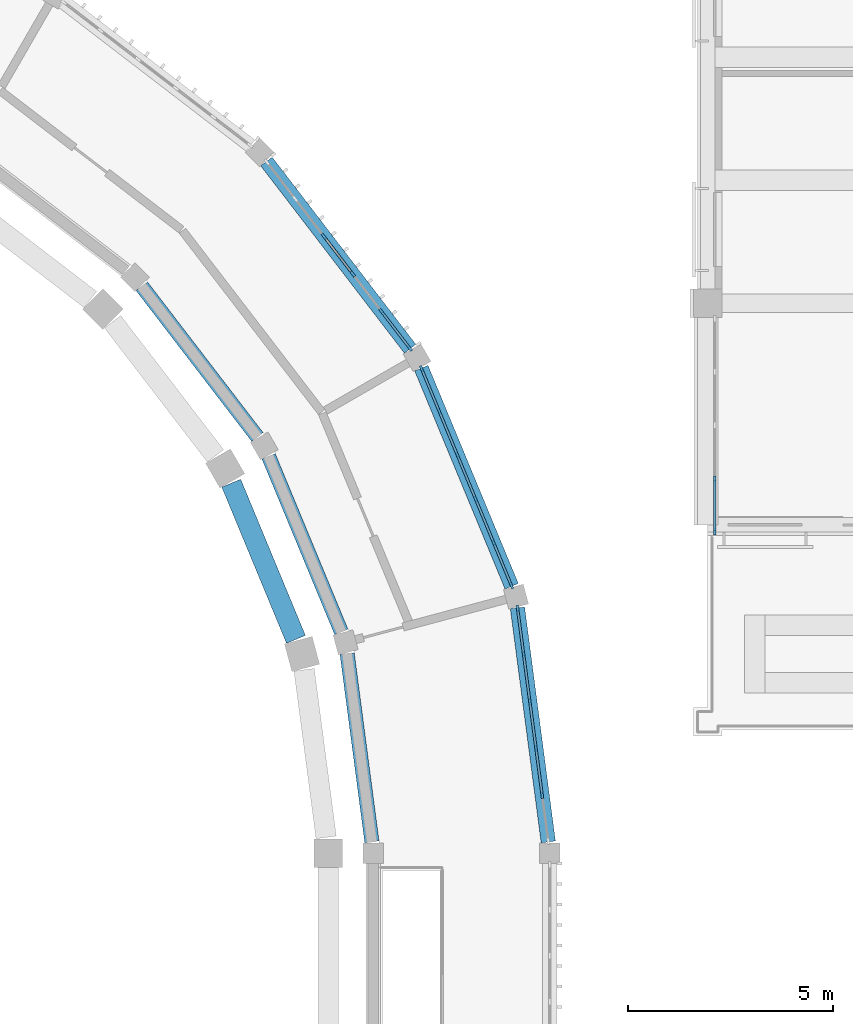
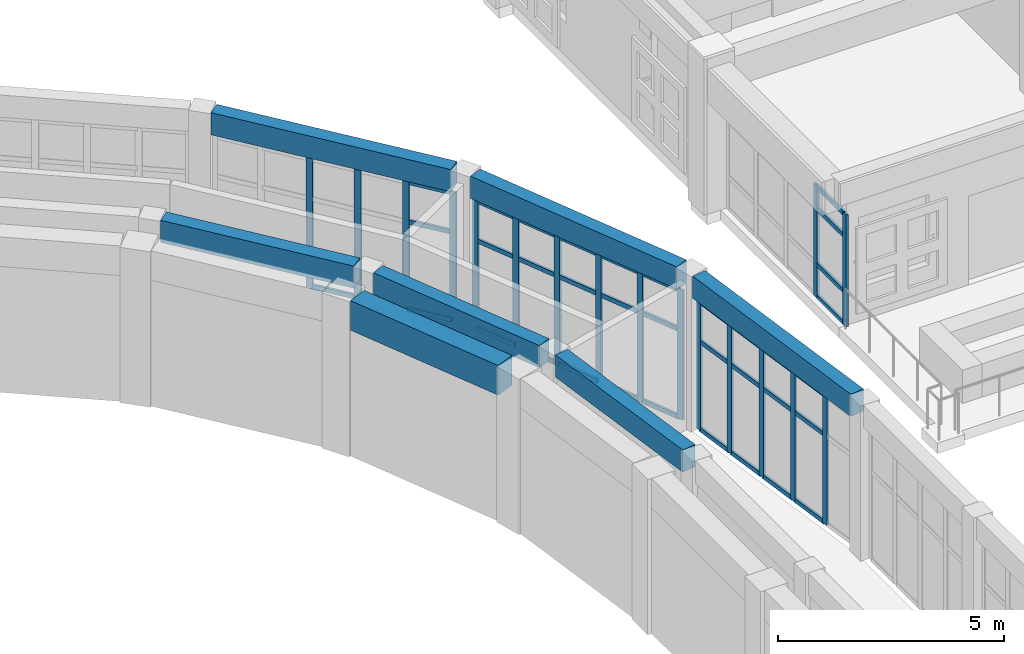
# One storey, part 21 of 99: 52 members, 7 beams, 4 elements without a shape of their own.
"""IFC4 building model written with IfcOpenShell, lengths in metres."""

from ifc_helpers import new_model, si_unit, direction, frame, origin, origin_2d, place, context, subcontext, project, spatial, rectangle, extrude, material, layer, layer_set, material_profile, profile_set, type_object, element, aggregate, save


model = new_model("IFC4")

# Units and contexts
model_context = context("Model", 3, precision=1e-05, world=origin(), true_north=direction((0.0, 1.0)))
body_context = subcontext(model_context, "Body", "Model", "MODEL_VIEW")
ifc_project = project(units=[si_unit("LENGTHUNIT", "METRE"), si_unit("AREAUNIT", "SQUARE_METRE"), si_unit("VOLUMEUNIT", "CUBIC_METRE"), si_unit("PLANEANGLEUNIT", "RADIAN"), si_unit("MASSUNIT", "GRAM", prefix="KILO")], contexts=[model_context])

# Site, building, storey
site_placement = place(None, origin())
site = spatial("IfcSite", under=ifc_project, at=site_placement, CompositionType="ELEMENT")
building_placement = place(site_placement, origin())
building = spatial("IfcBuilding", under=site, at=building_placement, Name="Wasatch Bagh Community Centre", CompositionType="ELEMENT")
storey_placement = place(building_placement, frame((0.0, 0.0, 4.199951171875)))
storey = spatial("IfcBuildingStorey", under=building, at=storey_placement, Name="L01", CompositionType="ELEMENT", Elevation=4.199951171875)

# Curtain wall, members
ifc_material_1 = material(Name="Aluminium curtain wall frame with low-iron insulated glass", Category="aluminium")
ifc_layer_1 = layer(ifc_material_1, 0.14990234375)
ifc_layer_set_1 = layer_set([ifc_layer_1], Name="Aluminium curtain wall frame with low-iron insulated glass")
curtain_wall_type_1 = type_object("IfcCurtainWallType", Name="Drum curtain wall DR-CW2", PredefinedType="NOTDEFINED", material=ifc_layer_set_1)
curtain_wall_1_placement = place(storey_placement, origin())
curtain_wall_1 = element("IfcCurtainWall", 1, at=curtain_wall_1_placement, inside=storey, type_object=curtain_wall_type_1, Name="Curtain wall DR-CW2 19", PredefinedType="NOTDEFINED")
ifc_material_2 = material(Name="Aluminium curtain wall frame", Category="aluminium")
ifc_material_profile_1 = material_profile(ifc_material_2, rectangle(XDim=0.06005859375, YDim=0.159912109375, at=origin_2d()), Name="Drum mullion DR-CW2")
ifc_profile_set_1 = profile_set([ifc_material_profile_1], Name="Aluminium curtain wall frame")
member_type_1 = type_object("IfcMemberType", Name="Drum mullion DR-CW2", PredefinedType="MULLION", material=ifc_profile_set_1)
member_1_placement = place(storey_placement, frame((59.96484375, 66.40625, 0.0), z_axis=(0.0, 0.0, 1.0), x_axis=(-0.991444861378, -0.130526192185, 0.0)))
member_1 = element("IfcMember", 2, at=member_1_placement, type_object=member_type_1, Name="DR-CW2 mullion 2", PredefinedType="MULLION", context=body_context, shape_type="SweptSolid", body=[
    extrude(rectangle(XDim=0.06005859375, YDim=0.159912109375, at=origin_2d()), origin(), (0.0, 0.0, 1.0), 3.5),
])
member_2_placement = place(storey_placement, frame((59.81396484375, 67.55224609375, 0.0), z_axis=(0.0, 0.0, 1.0), x_axis=(-0.991444861378, -0.130526192185, 0.0)))
member_2 = element("IfcMember", 3, at=member_2_placement, type_object=member_type_1, Name="DR-CW2 mullion 3", PredefinedType="MULLION", context=body_context, shape_type="SweptSolid", body=[
    extrude(rectangle(XDim=0.06005859375, YDim=0.159912109375, at=origin_2d()), origin(), (0.0, 0.0, 1.0), 3.5),
])
member_3_placement = place(storey_placement, frame((59.6630859375, 68.6982421875, 0.0), z_axis=(0.0, 0.0, 1.0), x_axis=(-0.991444861378, -0.130526192185, 0.0)))
member_3 = element("IfcMember", 4, at=member_3_placement, type_object=member_type_1, Name="DR-CW2 mullion 4", PredefinedType="MULLION", context=body_context, shape_type="SweptSolid", body=[
    extrude(rectangle(XDim=0.06005859375, YDim=0.159912109375, at=origin_2d()), origin(), (0.0, 0.0, 1.0), 3.5),
])
member_4_placement = place(storey_placement, frame((59.51220703125, 69.84423828125, 0.0), z_axis=(0.0, 0.0, 1.0), x_axis=(-0.991444861378, -0.130526192185, 0.0)))
member_4 = element("IfcMember", 5, at=member_4_placement, type_object=member_type_1, Name="DR-CW2 mullion 5", PredefinedType="MULLION", context=body_context, shape_type="SweptSolid", body=[
    extrude(rectangle(XDim=0.06005859375, YDim=0.159912109375, at=origin_2d()), origin(), (0.0, 0.0, 1.0), 3.5),
])
member_5_placement = place(storey_placement, frame((59.365234375, 70.96044921875, 0.0), z_axis=(0.0, 0.0, 1.0), x_axis=(-0.991444861378, -0.130526192185, 0.0)))
member_5 = element("IfcMember", 6, at=member_5_placement, type_object=member_type_1, Name="DR-CW2 mullion 6", PredefinedType="MULLION", context=body_context, shape_type="SweptSolid", body=[
    extrude(rectangle(XDim=0.06005859375, YDim=0.159912109375, at=origin_2d()), origin(), (0.0, 0.0, 1.0), 3.5),
])

curtain_wall_2_placement = place(storey_placement, origin())
curtain_wall_2 = element("IfcCurtainWall", 7, at=curtain_wall_2_placement, inside=storey, type_object=curtain_wall_type_1, Name="Curtain wall DR-CW2 20", PredefinedType="NOTDEFINED")
member_6_placement = place(storey_placement, frame((59.215087890625, 71.520751953125, 0.0), z_axis=(0.0, 0.0, 1.0), x_axis=(-0.923879532451, -0.38268343251, 0.0)))
member_6 = element("IfcMember", 8, at=member_6_placement, type_object=member_type_1, Name="DR-CW2 mullion 1", PredefinedType="MULLION", context=body_context, shape_type="SweptSolid", body=[
    extrude(rectangle(XDim=0.06005859375, YDim=0.159912109375, at=origin_2d()), origin(), (0.0, 0.0, 1.0), 3.5),
])
member_7_placement = place(storey_placement, frame((58.784423828125, 72.560791015625, 0.0), z_axis=(0.0, 0.0, 1.0), x_axis=(-0.923879532451, -0.38268343251, 0.0)))
member_7 = element("IfcMember", 9, at=member_7_placement, type_object=member_type_1, Name="DR-CW2 mullion 2", PredefinedType="MULLION", context=body_context, shape_type="SweptSolid", body=[
    extrude(rectangle(XDim=0.06005859375, YDim=0.159912109375, at=origin_2d()), origin(), (0.0, 0.0, 1.0), 3.5),
])
member_8_placement = place(storey_placement, frame((58.342041015625, 73.62890625, 0.0), z_axis=(0.0, 0.0, 1.0), x_axis=(-0.923879532451, -0.38268343251, 0.0)))
member_8 = element("IfcMember", 10, at=member_8_placement, type_object=member_type_1, Name="DR-CW2 mullion 3", PredefinedType="MULLION", context=body_context, shape_type="SweptSolid", body=[
    extrude(rectangle(XDim=0.06005859375, YDim=0.159912109375, at=origin_2d()), origin(), (0.0, 0.0, 1.0), 3.5),
])
member_9_placement = place(storey_placement, frame((57.899658203125, 74.69677734375, 0.0), z_axis=(0.0, 0.0, 1.0), x_axis=(-0.923879532451, -0.38268343251, 0.0)))
member_9 = element("IfcMember", 11, at=member_9_placement, type_object=member_type_1, Name="DR-CW2 mullion 4", PredefinedType="MULLION", context=body_context, shape_type="SweptSolid", body=[
    extrude(rectangle(XDim=0.06005859375, YDim=0.159912109375, at=origin_2d()), origin(), (0.0, 0.0, 1.0), 3.5),
])
member_10_placement = place(storey_placement, frame((57.457275390625, 75.7646484375, 0.0), z_axis=(0.0, 0.0, 1.0), x_axis=(-0.923879532451, -0.38268343251, 0.0)))
member_10 = element("IfcMember", 12, at=member_10_placement, type_object=member_type_1, Name="DR-CW2 mullion 5", PredefinedType="MULLION", context=body_context, shape_type="SweptSolid", body=[
    extrude(rectangle(XDim=0.06005859375, YDim=0.159912109375, at=origin_2d()), origin(), (0.0, 0.0, 1.0), 3.5),
])
member_11_placement = place(storey_placement, frame((57.0263671875, 76.8046875, 0.0), z_axis=(0.0, 0.0, 1.0), x_axis=(-0.923879532451, -0.38268343251, 0.0)))
member_11 = element("IfcMember", 13, at=member_11_placement, type_object=member_type_1, Name="DR-CW2 mullion 6", PredefinedType="MULLION", context=body_context, shape_type="SweptSolid", body=[
    extrude(rectangle(XDim=0.06005859375, YDim=0.159912109375, at=origin_2d()), origin(), (0.0, 0.0, 1.0), 3.5),
])

curtain_wall_3_placement = place(storey_placement, origin())
curtain_wall_3 = element("IfcCurtainWall", 14, at=curtain_wall_3_placement, inside=storey, type_object=curtain_wall_type_1, Name="Curtain wall DR-CW2 21", PredefinedType="NOTDEFINED")
member_12_placement = place(storey_placement, frame((56.736328125, 77.30712890625, 0.0), z_axis=(0.0, 0.0, 1.0), x_axis=(-0.793353340196, -0.608761429133, 0.0)))
member_12 = element("IfcMember", 15, at=member_12_placement, type_object=member_type_1, Name="DR-CW2 mullion 1", PredefinedType="MULLION", context=body_context, shape_type="SweptSolid", body=[
    extrude(rectangle(XDim=0.06005859375, YDim=0.159912109375, at=origin_2d()), origin(), (0.0, 0.0, 1.0), 3.5),
])
member_13_placement = place(storey_placement, frame((56.051025390625, 78.2001953125, 0.0), z_axis=(0.0, 0.0, 1.0), x_axis=(-0.793353340196, -0.608761429133, 0.0)))
member_13 = element("IfcMember", 16, at=member_13_placement, type_object=member_type_1, Name="DR-CW2 mullion 2", PredefinedType="MULLION", context=body_context, shape_type="SweptSolid", body=[
    extrude(rectangle(XDim=0.06005859375, YDim=0.159912109375, at=origin_2d()), origin(), (0.0, 0.0, 1.0), 3.5),
])
member_14_placement = place(storey_placement, frame((55.347412109375, 79.1171875, 0.0), z_axis=(0.0, 0.0, 1.0), x_axis=(-0.793353340196, -0.608761429133, 0.0)))
member_14 = element("IfcMember", 17, at=member_14_placement, type_object=member_type_1, Name="DR-CW2 mullion 3", PredefinedType="MULLION", context=body_context, shape_type="SweptSolid", body=[
    extrude(rectangle(XDim=0.06005859375, YDim=0.159912109375, at=origin_2d()), origin(), (0.0, 0.0, 1.0), 3.5),
])
member_15_placement = place(storey_placement, frame((54.643798828125, 80.034423828125, 0.0), z_axis=(0.0, 0.0, 1.0), x_axis=(-0.793353340196, -0.608761429133, 0.0)))
member_15 = element("IfcMember", 18, at=member_15_placement, type_object=member_type_1, Name="DR-CW2 mullion 4", PredefinedType="MULLION", context=body_context, shape_type="SweptSolid", body=[
    extrude(rectangle(XDim=0.06005859375, YDim=0.159912109375, at=origin_2d()), origin(), (0.0, 0.0, 1.0), 3.5),
])

# Beams
ifc_material_3 = material(Name="Concrete C35", Category="concrete")
ifc_material_profile_2 = material_profile(ifc_material_3, rectangle(XDim=0.35009765625, YDim=0.60009765625, at=origin_2d()), Name="RC 350x600")
ifc_profile_set_2 = profile_set([ifc_material_profile_2], Name="Concrete C35")
beam_type_1 = type_object("IfcBeamType", Name="Drum ring beam RC 350x600", PredefinedType="BEAM", material=ifc_profile_set_2)
beam_1_placement = place(storey_placement, frame((55.81396484375, 65.2734375, 3.900146484375), z_axis=(-0.130495429401, 0.99144891089, 0.0), x_axis=(-0.99144891089, -0.130495429401, 0.0)))
element("IfcBeam", 19, at=beam_1_placement, inside=storey, type_object=beam_type_1, Name="Ring beam 8.4 DI-E7-DI-N1", PredefinedType="BEAM", context=body_context, shape_type="SweptSolid", body=[
    extrude(rectangle(XDim=0.35009765625, YDim=0.60009765625, at=origin_2d()), origin(), (0.0, 0.0, 1.0), 4.63037109375),
])
beam_2_placement = place(storey_placement, frame((55.068115234375, 70.392333984375, 3.900146484375), z_axis=(-0.382671540178, 0.923884458327, 0.0), x_axis=(-0.923884458327, -0.382671540178, 0.0)))
element("IfcBeam", 20, at=beam_2_placement, inside=storey, type_object=beam_type_1, Name="Ring beam 8.4 DI-N1-DI-N2", PredefinedType="BEAM", context=body_context, shape_type="SweptSolid", body=[
    extrude(rectangle(XDim=0.35009765625, YDim=0.60009765625, at=origin_2d()), origin(), (0.0, 0.0, 1.0), 4.630615234375),
])
beam_3_placement = place(storey_placement, frame((53.022705078125, 75.143798828125, 3.900146484375), z_axis=(-0.608762451519, 0.793352555691, 0.0), x_axis=(-0.793352555691, -0.608762451519, 0.0)))
element("IfcBeam", 21, at=beam_3_placement, inside=storey, type_object=beam_type_1, Name="Ring beam 8.4 DI-N2-DI-N3", PredefinedType="BEAM", context=body_context, shape_type="SweptSolid", body=[
    extrude(rectangle(XDim=0.35009765625, YDim=0.60009765625, at=origin_2d()), origin(), (0.0, 0.0, 1.0), 4.63037109375),
])
beam_4_placement = place(storey_placement, frame((60.114013671875, 65.2734375, 3.900146484375), z_axis=(-0.130540139759, 0.991443025046, 0.0), x_axis=(-0.991443025046, -0.130540139759, 0.0)))
element("IfcBeam", 22, at=beam_4_placement, inside=storey, type_object=beam_type_1, Name="Ring beam 8.4 DO-E7-DO-N1", PredefinedType="BEAM", context=body_context, shape_type="SweptSolid", body=[
    extrude(rectangle(XDim=0.35009765625, YDim=0.60009765625, at=origin_2d()), origin(), (0.0, 0.0, 1.0), 5.7529296875),
])
beam_5_placement = place(storey_placement, frame((59.2216796875, 71.505126953125, 3.900146484375), z_axis=(-0.38268910224, 0.923877183952, 0.0), x_axis=(-0.923877183952, -0.38268910224, 0.0)))
element("IfcBeam", 23, at=beam_5_placement, inside=storey, type_object=beam_type_1, Name="Ring beam 8.4 DO-N1-DO-N2", PredefinedType="BEAM", context=body_context, shape_type="SweptSolid", body=[
    extrude(rectangle(XDim=0.35009765625, YDim=0.60009765625, at=origin_2d()), origin(), (0.0, 0.0, 1.0), 5.753173828125),
])
beam_6_placement = place(storey_placement, frame((56.74658203125, 77.293701171875, 3.900146484375), z_axis=(-0.608756673514, 0.793356989288, 0.0), x_axis=(-0.793356989288, -0.608756673514, 0.0)))
element("IfcBeam", 24, at=beam_6_placement, inside=storey, type_object=beam_type_1, Name="Ring beam 8.4 DO-N2-DO-N3", PredefinedType="BEAM", context=body_context, shape_type="SweptSolid", body=[
    extrude(rectangle(XDim=0.35009765625, YDim=0.60009765625, at=origin_2d()), origin(), (0.0, 0.0, 1.0), 5.7529296875),
])

# Member
ifc_material_profile_3 = material_profile(ifc_material_2, rectangle(XDim=0.06005859375, YDim=0.1201171875, at=origin_2d()), Name="Drum transom DR-CW2")
ifc_profile_set_3 = profile_set([ifc_material_profile_3], Name="Aluminium curtain wall frame")
member_type_2 = type_object("IfcMemberType", Name="Drum transom DR-CW2", PredefinedType="USERDEFINED", material=ifc_profile_set_3)
member_16_placement = place(storey_placement, frame((59.9609375, 66.43603515625, 0.030029296875), z_axis=(-0.130558250608, 0.99144064028, 0.0), x_axis=(-0.99144064028, -0.130558250608, 0.0)))
member_16 = element("IfcMember", 25, at=member_16_placement, type_object=member_type_2, Name="DR-CW2 transom 2.1", ObjectType="TRANSOM", PredefinedType="USERDEFINED", context=body_context, shape_type="SweptSolid", body=[
    extrude(rectangle(XDim=0.06005859375, YDim=0.1201171875, at=origin_2d()), origin(), (0.0, 0.0, 1.0), 1.095703125),
])

member_17_placement = place(storey_placement, frame((59.9609375, 66.43603515625, 2.400146484375), z_axis=(-0.130558250608, 0.99144064028, 0.0), x_axis=(-0.99144064028, -0.130558250608, 0.0)))
member_17 = element("IfcMember", 26, at=member_17_placement, type_object=member_type_2, Name="DR-CW2 transom 2.2", ObjectType="TRANSOM", PredefinedType="USERDEFINED", context=body_context, shape_type="SweptSolid", body=[
    extrude(rectangle(XDim=0.06005859375, YDim=0.1201171875, at=origin_2d()), origin(), (0.0, 0.0, 1.0), 1.095703125),
])

member_18_placement = place(storey_placement, frame((59.9609375, 66.43603515625, 3.469970703125), z_axis=(-0.130558250608, 0.99144064028, 0.0), x_axis=(-0.99144064028, -0.130558250608, 0.0)))
member_18 = element("IfcMember", 27, at=member_18_placement, type_object=member_type_2, Name="DR-CW2 transom 2.3", ObjectType="TRANSOM", PredefinedType="USERDEFINED", context=body_context, shape_type="SweptSolid", body=[
    extrude(rectangle(XDim=0.06005859375, YDim=0.1201171875, at=origin_2d()), origin(), (0.0, 0.0, 1.0), 1.095703125),
])

member_19_placement = place(storey_placement, frame((59.81005859375, 67.58203125, 0.030029296875), z_axis=(-0.130558250608, 0.99144064028, 0.0), x_axis=(-0.99144064028, -0.130558250608, 0.0)))
member_19 = element("IfcMember", 28, at=member_19_placement, type_object=member_type_2, Name="DR-CW2 transom 3.1", ObjectType="TRANSOM", PredefinedType="USERDEFINED", context=body_context, shape_type="SweptSolid", body=[
    extrude(rectangle(XDim=0.06005859375, YDim=0.1201171875, at=origin_2d()), origin(), (0.0, 0.0, 1.0), 1.095703125),
])

member_20_placement = place(storey_placement, frame((59.81005859375, 67.58203125, 2.400146484375), z_axis=(-0.130558250608, 0.99144064028, 0.0), x_axis=(-0.99144064028, -0.130558250608, 0.0)))
member_20 = element("IfcMember", 29, at=member_20_placement, type_object=member_type_2, Name="DR-CW2 transom 3.2", ObjectType="TRANSOM", PredefinedType="USERDEFINED", context=body_context, shape_type="SweptSolid", body=[
    extrude(rectangle(XDim=0.06005859375, YDim=0.1201171875, at=origin_2d()), origin(), (0.0, 0.0, 1.0), 1.095703125),
])

member_21_placement = place(storey_placement, frame((59.81005859375, 67.58203125, 3.469970703125), z_axis=(-0.130558250608, 0.99144064028, 0.0), x_axis=(-0.99144064028, -0.130558250608, 0.0)))
member_21 = element("IfcMember", 30, at=member_21_placement, type_object=member_type_2, Name="DR-CW2 transom 3.3", ObjectType="TRANSOM", PredefinedType="USERDEFINED", context=body_context, shape_type="SweptSolid", body=[
    extrude(rectangle(XDim=0.06005859375, YDim=0.1201171875, at=origin_2d()), origin(), (0.0, 0.0, 1.0), 1.095703125),
])

member_22_placement = place(storey_placement, frame((59.6591796875, 68.72802734375, 0.030029296875), z_axis=(-0.130558250608, 0.99144064028, 0.0), x_axis=(-0.99144064028, -0.130558250608, 0.0)))
member_22 = element("IfcMember", 31, at=member_22_placement, type_object=member_type_2, Name="DR-CW2 transom 4.1", ObjectType="TRANSOM", PredefinedType="USERDEFINED", context=body_context, shape_type="SweptSolid", body=[
    extrude(rectangle(XDim=0.06005859375, YDim=0.1201171875, at=origin_2d()), origin(), (0.0, 0.0, 1.0), 1.095703125),
])

member_23_placement = place(storey_placement, frame((59.6591796875, 68.72802734375, 2.400146484375), z_axis=(-0.130558250608, 0.99144064028, 0.0), x_axis=(-0.99144064028, -0.130558250608, 0.0)))
member_23 = element("IfcMember", 32, at=member_23_placement, type_object=member_type_2, Name="DR-CW2 transom 4.2", ObjectType="TRANSOM", PredefinedType="USERDEFINED", context=body_context, shape_type="SweptSolid", body=[
    extrude(rectangle(XDim=0.06005859375, YDim=0.1201171875, at=origin_2d()), origin(), (0.0, 0.0, 1.0), 1.095703125),
])

member_24_placement = place(storey_placement, frame((59.6591796875, 68.72802734375, 3.469970703125), z_axis=(-0.130558250608, 0.99144064028, 0.0), x_axis=(-0.99144064028, -0.130558250608, 0.0)))
member_24 = element("IfcMember", 33, at=member_24_placement, type_object=member_type_2, Name="DR-CW2 transom 4.3", ObjectType="TRANSOM", PredefinedType="USERDEFINED", context=body_context, shape_type="SweptSolid", body=[
    extrude(rectangle(XDim=0.06005859375, YDim=0.1201171875, at=origin_2d()), origin(), (0.0, 0.0, 1.0), 1.095703125),
])

member_25_placement = place(storey_placement, frame((59.50830078125, 69.8740234375, 0.030029296875), z_axis=(-0.130573025845, 0.991438694485, 0.0), x_axis=(-0.991438694485, -0.130573025845, 0.0)))
member_25 = element("IfcMember", 34, at=member_25_placement, type_object=member_type_2, Name="DR-CW2 transom 5.1", ObjectType="TRANSOM", PredefinedType="USERDEFINED", context=body_context, shape_type="SweptSolid", body=[
    extrude(rectangle(XDim=0.06005859375, YDim=0.1201171875, at=origin_2d()), origin(), (0.0, 0.0, 1.0), 1.065673828125),
])

member_26_placement = place(storey_placement, frame((59.50830078125, 69.8740234375, 2.400146484375), z_axis=(-0.130573025845, 0.991438694485, 0.0), x_axis=(-0.991438694485, -0.130573025845, 0.0)))
member_26 = element("IfcMember", 35, at=member_26_placement, type_object=member_type_2, Name="DR-CW2 transom 5.2", ObjectType="TRANSOM", PredefinedType="USERDEFINED", context=body_context, shape_type="SweptSolid", body=[
    extrude(rectangle(XDim=0.06005859375, YDim=0.1201171875, at=origin_2d()), origin(), (0.0, 0.0, 1.0), 1.065673828125),
])

member_27_placement = place(storey_placement, frame((59.50830078125, 69.8740234375, 3.469970703125), z_axis=(-0.130573025845, 0.991438694485, 0.0), x_axis=(-0.991438694485, -0.130573025845, 0.0)))
member_27 = element("IfcMember", 36, at=member_27_placement, type_object=member_type_2, Name="DR-CW2 transom 5.3", ObjectType="TRANSOM", PredefinedType="USERDEFINED", context=body_context, shape_type="SweptSolid", body=[
    extrude(rectangle(XDim=0.06005859375, YDim=0.1201171875, at=origin_2d()), origin(), (0.0, 0.0, 1.0), 1.065673828125),
])

aggregate(curtain_wall_1, [member_1, member_2, member_3, member_4, member_5, member_16, member_17, member_18, member_19, member_20, member_21, member_22, member_23, member_24, member_25, member_26, member_27])

member_28_placement = place(storey_placement, frame((59.20361328125, 71.54833984375, 0.030029296875), z_axis=(-0.382500141907, 0.923955432606, 0.0), x_axis=(-0.923955432606, -0.382500141907, 0.0)))
member_28 = element("IfcMember", 37, at=member_28_placement, type_object=member_type_2, Name="DR-CW2 transom 1.1", ObjectType="TRANSOM", PredefinedType="USERDEFINED", context=body_context, shape_type="SweptSolid", body=[
    extrude(rectangle(XDim=0.06005859375, YDim=0.1201171875, at=origin_2d()), origin(), (0.0, 0.0, 1.0), 1.06591796875),
])

member_29_placement = place(storey_placement, frame((59.20361328125, 71.54833984375, 2.400146484375), z_axis=(-0.382500141907, 0.923955432606, 0.0), x_axis=(-0.923955432606, -0.382500141907, 0.0)))
member_29 = element("IfcMember", 38, at=member_29_placement, type_object=member_type_2, Name="DR-CW2 transom 1.2", ObjectType="TRANSOM", PredefinedType="USERDEFINED", context=body_context, shape_type="SweptSolid", body=[
    extrude(rectangle(XDim=0.06005859375, YDim=0.1201171875, at=origin_2d()), origin(), (0.0, 0.0, 1.0), 1.06591796875),
])

member_30_placement = place(storey_placement, frame((59.20361328125, 71.54833984375, 3.469970703125), z_axis=(-0.382500141907, 0.923955432606, 0.0), x_axis=(-0.923955432606, -0.382500141907, 0.0)))
member_30 = element("IfcMember", 39, at=member_30_placement, type_object=member_type_2, Name="DR-CW2 transom 1.3", ObjectType="TRANSOM", PredefinedType="USERDEFINED", context=body_context, shape_type="SweptSolid", body=[
    extrude(rectangle(XDim=0.06005859375, YDim=0.1201171875, at=origin_2d()), origin(), (0.0, 0.0, 1.0), 1.06591796875),
])

member_31_placement = place(storey_placement, frame((58.77294921875, 72.588623046875, 0.030029296875), z_axis=(-0.382732178779, 0.923859339579, 0.0), x_axis=(-0.923859339579, -0.382732178779, 0.0)))
member_31 = element("IfcMember", 40, at=member_31_placement, type_object=member_type_2, Name="DR-CW2 transom 2.1", ObjectType="TRANSOM", PredefinedType="USERDEFINED", context=body_context, shape_type="SweptSolid", body=[
    extrude(rectangle(XDim=0.06005859375, YDim=0.1201171875, at=origin_2d()), origin(), (0.0, 0.0, 1.0), 1.095947265625),
])

member_32_placement = place(storey_placement, frame((58.77294921875, 72.588623046875, 2.400146484375), z_axis=(-0.382732178779, 0.923859339579, 0.0), x_axis=(-0.923859339579, -0.382732178779, 0.0)))
member_32 = element("IfcMember", 41, at=member_32_placement, type_object=member_type_2, Name="DR-CW2 transom 2.2", ObjectType="TRANSOM", PredefinedType="USERDEFINED", context=body_context, shape_type="SweptSolid", body=[
    extrude(rectangle(XDim=0.06005859375, YDim=0.1201171875, at=origin_2d()), origin(), (0.0, 0.0, 1.0), 1.095947265625),
])

member_33_placement = place(storey_placement, frame((58.77294921875, 72.588623046875, 3.469970703125), z_axis=(-0.382732178779, 0.923859339579, 0.0), x_axis=(-0.923859339579, -0.382732178779, 0.0)))
member_33 = element("IfcMember", 42, at=member_33_placement, type_object=member_type_2, Name="DR-CW2 transom 2.3", ObjectType="TRANSOM", PredefinedType="USERDEFINED", context=body_context, shape_type="SweptSolid", body=[
    extrude(rectangle(XDim=0.06005859375, YDim=0.1201171875, at=origin_2d()), origin(), (0.0, 0.0, 1.0), 1.095947265625),
])

member_34_placement = place(storey_placement, frame((58.33056640625, 73.656494140625, 0.030029296875), z_axis=(-0.382732178779, 0.923859339579, 0.0), x_axis=(-0.923859339579, -0.382732178779, 0.0)))
member_34 = element("IfcMember", 43, at=member_34_placement, type_object=member_type_2, Name="DR-CW2 transom 3.1", ObjectType="TRANSOM", PredefinedType="USERDEFINED", context=body_context, shape_type="SweptSolid", body=[
    extrude(rectangle(XDim=0.06005859375, YDim=0.1201171875, at=origin_2d()), origin(), (0.0, 0.0, 1.0), 1.095947265625),
])

member_35_placement = place(storey_placement, frame((58.33056640625, 73.656494140625, 2.400146484375), z_axis=(-0.382732178779, 0.923859339579, 0.0), x_axis=(-0.923859339579, -0.382732178779, 0.0)))
member_35 = element("IfcMember", 44, at=member_35_placement, type_object=member_type_2, Name="DR-CW2 transom 3.2", ObjectType="TRANSOM", PredefinedType="USERDEFINED", context=body_context, shape_type="SweptSolid", body=[
    extrude(rectangle(XDim=0.06005859375, YDim=0.1201171875, at=origin_2d()), origin(), (0.0, 0.0, 1.0), 1.095947265625),
])

member_36_placement = place(storey_placement, frame((58.33056640625, 73.656494140625, 3.469970703125), z_axis=(-0.382732178779, 0.923859339579, 0.0), x_axis=(-0.923859339579, -0.382732178779, 0.0)))
member_36 = element("IfcMember", 45, at=member_36_placement, type_object=member_type_2, Name="DR-CW2 transom 3.3", ObjectType="TRANSOM", PredefinedType="USERDEFINED", context=body_context, shape_type="SweptSolid", body=[
    extrude(rectangle(XDim=0.06005859375, YDim=0.1201171875, at=origin_2d()), origin(), (0.0, 0.0, 1.0), 1.095947265625),
])

member_37_placement = place(storey_placement, frame((57.88818359375, 74.724365234375, 0.030029296875), z_axis=(-0.382732178779, 0.923859339579, 0.0), x_axis=(-0.923859339579, -0.382732178779, 0.0)))
member_37 = element("IfcMember", 46, at=member_37_placement, type_object=member_type_2, Name="DR-CW2 transom 4.1", ObjectType="TRANSOM", PredefinedType="USERDEFINED", context=body_context, shape_type="SweptSolid", body=[
    extrude(rectangle(XDim=0.06005859375, YDim=0.1201171875, at=origin_2d()), origin(), (0.0, 0.0, 1.0), 1.095947265625),
])

member_38_placement = place(storey_placement, frame((57.88818359375, 74.724365234375, 2.400146484375), z_axis=(-0.382732178779, 0.923859339579, 0.0), x_axis=(-0.923859339579, -0.382732178779, 0.0)))
member_38 = element("IfcMember", 47, at=member_38_placement, type_object=member_type_2, Name="DR-CW2 transom 4.2", ObjectType="TRANSOM", PredefinedType="USERDEFINED", context=body_context, shape_type="SweptSolid", body=[
    extrude(rectangle(XDim=0.06005859375, YDim=0.1201171875, at=origin_2d()), origin(), (0.0, 0.0, 1.0), 1.095947265625),
])

member_39_placement = place(storey_placement, frame((57.88818359375, 74.724365234375, 3.469970703125), z_axis=(-0.382732178779, 0.923859339579, 0.0), x_axis=(-0.923859339579, -0.382732178779, 0.0)))
member_39 = element("IfcMember", 48, at=member_39_placement, type_object=member_type_2, Name="DR-CW2 transom 4.3", ObjectType="TRANSOM", PredefinedType="USERDEFINED", context=body_context, shape_type="SweptSolid", body=[
    extrude(rectangle(XDim=0.06005859375, YDim=0.1201171875, at=origin_2d()), origin(), (0.0, 0.0, 1.0), 1.095947265625),
])

member_40_placement = place(storey_placement, frame((57.44580078125, 75.792236328125, 0.030029296875), z_axis=(-0.38269564791, 0.923874472572, 0.0), x_axis=(-0.923874472572, -0.38269564791, 0.0)))
member_40 = element("IfcMember", 49, at=member_40_placement, type_object=member_type_2, Name="DR-CW2 transom 5.1", ObjectType="TRANSOM", PredefinedType="USERDEFINED", context=body_context, shape_type="SweptSolid", body=[
    extrude(rectangle(XDim=0.06005859375, YDim=0.1201171875, at=origin_2d()), origin(), (0.0, 0.0, 1.0), 1.06591796875),
])

member_41_placement = place(storey_placement, frame((57.44580078125, 75.792236328125, 2.400146484375), z_axis=(-0.38269564791, 0.923874472572, 0.0), x_axis=(-0.923874472572, -0.38269564791, 0.0)))
member_41 = element("IfcMember", 50, at=member_41_placement, type_object=member_type_2, Name="DR-CW2 transom 5.2", ObjectType="TRANSOM", PredefinedType="USERDEFINED", context=body_context, shape_type="SweptSolid", body=[
    extrude(rectangle(XDim=0.06005859375, YDim=0.1201171875, at=origin_2d()), origin(), (0.0, 0.0, 1.0), 1.06591796875),
])

member_42_placement = place(storey_placement, frame((57.44580078125, 75.792236328125, 3.469970703125), z_axis=(-0.38269564791, 0.923874472572, 0.0), x_axis=(-0.923874472572, -0.38269564791, 0.0)))
member_42 = element("IfcMember", 51, at=member_42_placement, type_object=member_type_2, Name="DR-CW2 transom 5.3", ObjectType="TRANSOM", PredefinedType="USERDEFINED", context=body_context, shape_type="SweptSolid", body=[
    extrude(rectangle(XDim=0.06005859375, YDim=0.1201171875, at=origin_2d()), origin(), (0.0, 0.0, 1.0), 1.06591796875),
])

aggregate(curtain_wall_2, [member_6, member_7, member_8, member_9, member_10, member_11, member_28, member_29, member_30, member_31, member_32, member_33, member_34, member_35, member_36, member_37, member_38, member_39, member_40, member_41, member_42])

member_43_placement = place(storey_placement, frame((56.71826171875, 77.330810546875, 0.030029296875), z_axis=(-0.608758447006, 0.793355628453, 0.0), x_axis=(-0.793355628453, -0.608758447006, 0.0)))
member_43 = element("IfcMember", 52, at=member_43_placement, type_object=member_type_2, Name="DR-CW2 transom 1.1", ObjectType="TRANSOM", PredefinedType="USERDEFINED", context=body_context, shape_type="SweptSolid", body=[
    extrude(rectangle(XDim=0.06005859375, YDim=0.1201171875, at=origin_2d()), origin(), (0.0, 0.0, 1.0), 1.06591796875),
])

member_44_placement = place(storey_placement, frame((56.71826171875, 77.330810546875, 2.400146484375), z_axis=(-0.608758447006, 0.793355628453, 0.0), x_axis=(-0.793355628453, -0.608758447006, 0.0)))
member_44 = element("IfcMember", 53, at=member_44_placement, type_object=member_type_2, Name="DR-CW2 transom 1.2", ObjectType="TRANSOM", PredefinedType="USERDEFINED", context=body_context, shape_type="SweptSolid", body=[
    extrude(rectangle(XDim=0.06005859375, YDim=0.1201171875, at=origin_2d()), origin(), (0.0, 0.0, 1.0), 1.06591796875),
])

member_45_placement = place(storey_placement, frame((56.71826171875, 77.330810546875, 3.469970703125), z_axis=(-0.608758447006, 0.793355628453, 0.0), x_axis=(-0.793355628453, -0.608758447006, 0.0)))
member_45 = element("IfcMember", 54, at=member_45_placement, type_object=member_type_2, Name="DR-CW2 transom 1.3", ObjectType="TRANSOM", PredefinedType="USERDEFINED", context=body_context, shape_type="SweptSolid", body=[
    extrude(rectangle(XDim=0.06005859375, YDim=0.1201171875, at=origin_2d()), origin(), (0.0, 0.0, 1.0), 1.06591796875),
])

member_46_placement = place(storey_placement, frame((55.3291015625, 79.14111328125, 0.030029296875), z_axis=(-0.608698124672, 0.793401911405, 0.0), x_axis=(-0.793401911405, -0.608698124672, 0.0)))
member_46 = element("IfcMember", 55, at=member_46_placement, type_object=member_type_2, Name="DR-CW2 transom 3.1", ObjectType="TRANSOM", PredefinedType="USERDEFINED", context=body_context, shape_type="SweptSolid", body=[
    extrude(rectangle(XDim=0.06005859375, YDim=0.1201171875, at=origin_2d()), origin(), (0.0, 0.0, 1.0), 1.095703125),
])

aggregate(curtain_wall_3, [member_12, member_13, member_14, member_15, member_43, member_44, member_45, member_46])

# Curtain wall, members
ifc_material_4 = material(Name="Aluminium curtain wall frame with low-iron glass", Category="aluminium")
ifc_layer_2 = layer(ifc_material_4, 0.159912109375)
ifc_layer_set_2 = layer_set([ifc_layer_2], Name="Aluminium curtain wall frame with low-iron glass")
curtain_wall_type_2 = type_object("IfcCurtainWallType", Name="LW gable curtain wall 160", PredefinedType="NOTDEFINED", material=ifc_layer_set_2)
curtain_wall_4_placement = place(storey_placement, origin())
curtain_wall_4 = element("IfcCurtainWall", 56, at=curtain_wall_4_placement, inside=storey, type_object=curtain_wall_type_2, Name="Curtain wall 01.08", PredefinedType="NOTDEFINED")
ifc_material_5 = material(Name="Aluminium extrusion", Category="aluminium")
ifc_material_profile_4 = material_profile(ifc_material_5, rectangle(XDim=0.06005859375, YDim=0.159912109375, at=origin_2d()), Name="AL 60x160")
ifc_profile_set_4 = profile_set([ifc_material_profile_4], Name="Aluminium extrusion")
member_type_3 = type_object("IfcMemberType", Name="LW curtain wall mullion 60x160 LW-CW4", PredefinedType="MULLION", material=ifc_profile_set_4)
member_47_placement = place(storey_placement, frame((64.175048828125, 72.830078125, 0.0), z_axis=(0.0, 0.0, 1.0), x_axis=(-1.0, 0.0, 0.0)))
member_47 = element("IfcMember", 57, at=member_47_placement, type_object=member_type_3, Name="LW-CW4 mullion 1", PredefinedType="MULLION", context=body_context, shape_type="SweptSolid", body=[
    extrude(rectangle(XDim=0.06005859375, YDim=0.159912109375, at=origin_2d()), origin(), (0.0, 0.0, 1.0), 3.02001953125),
])
member_48_placement = place(storey_placement, frame((64.175048828125, 74.112548828125, 0.0), z_axis=(0.0, 0.0, 1.0), x_axis=(-1.0, 0.0, 0.0)))
member_48 = element("IfcMember", 58, at=member_48_placement, type_object=member_type_3, Name="LW-CW4 mullion 2", PredefinedType="MULLION", context=body_context, shape_type="SweptSolid", body=[
    extrude(rectangle(XDim=0.06005859375, YDim=0.159912109375, at=origin_2d()), origin(), (0.0, 0.0, 1.0), 3.02001953125),
])
ifc_material_profile_5 = material_profile(ifc_material_5, rectangle(XDim=0.06005859375, YDim=0.1201171875, at=origin_2d()), Name="AL 60x120")
ifc_profile_set_5 = profile_set([ifc_material_profile_5], Name="Aluminium extrusion")
member_type_4 = type_object("IfcMemberType", Name="LW curtain wall transom 60x120 LW-CW4", PredefinedType="USERDEFINED", material=ifc_profile_set_5)
member_49_placement = place(storey_placement, frame((64.175048828125, 72.860107421875, 0.030029296875), z_axis=(0.0, 1.0, 0.0), x_axis=(-1.0, 0.0, 0.0)))
member_49 = element("IfcMember", 59, at=member_49_placement, type_object=member_type_4, Name="LW-CW4 transom 1.1", ObjectType="TRANSOM", PredefinedType="USERDEFINED", context=body_context, shape_type="SweptSolid", body=[
    extrude(rectangle(XDim=0.06005859375, YDim=0.1201171875, at=origin_2d()), origin(), (0.0, 0.0, 1.0), 1.222412109375),
])
member_50_placement = place(storey_placement, frame((64.175048828125, 72.860107421875, 0.900146484375), z_axis=(0.0, 1.0, 0.0), x_axis=(-1.0, 0.0, 0.0)))
member_50 = element("IfcMember", 60, at=member_50_placement, type_object=member_type_4, Name="LW-CW4 transom 1.2", ObjectType="TRANSOM", PredefinedType="USERDEFINED", context=body_context, shape_type="SweptSolid", body=[
    extrude(rectangle(XDim=0.06005859375, YDim=0.1201171875, at=origin_2d()), origin(), (0.0, 0.0, 1.0), 1.222412109375),
])
member_51_placement = place(storey_placement, frame((64.175048828125, 72.860107421875, 2.400146484375), z_axis=(0.0, 1.0, 0.0), x_axis=(-1.0, 0.0, 0.0)))
member_51 = element("IfcMember", 61, at=member_51_placement, type_object=member_type_4, Name="LW-CW4 transom 1.3", ObjectType="TRANSOM", PredefinedType="USERDEFINED", context=body_context, shape_type="SweptSolid", body=[
    extrude(rectangle(XDim=0.06005859375, YDim=0.1201171875, at=origin_2d()), origin(), (0.0, 0.0, 1.0), 1.222412109375),
])
member_52_placement = place(storey_placement, frame((64.175048828125, 72.860107421875, 2.989990234375), z_axis=(0.0, 1.0, 0.0), x_axis=(-1.0, 0.0, 0.0)))
member_52 = element("IfcMember", 62, at=member_52_placement, type_object=member_type_4, Name="LW-CW4 transom 1.4", ObjectType="TRANSOM", PredefinedType="USERDEFINED", context=body_context, shape_type="SweptSolid", body=[
    extrude(rectangle(XDim=0.06005859375, YDim=0.1201171875, at=origin_2d()), origin(), (0.0, 0.0, 1.0), 1.222412109375),
])
aggregate(curtain_wall_4, [member_47, member_48, member_49, member_50, member_51, member_52])

# Beam
ifc_material_profile_6 = material_profile(ifc_material_3, rectangle(XDim=0.5, YDim=0.800048828125, at=origin_2d()), Name="RC 500x800")
ifc_profile_set_6 = profile_set([ifc_material_profile_6], Name="Concrete C35")
beam_type_2 = type_object("IfcBeamType", Name="MH ring beam RC 500x800", PredefinedType="BEAM", material=ifc_profile_set_6)
beam_7_placement = place(storey_placement, frame((53.963134765625, 70.2099609375, 3.800048828125), z_axis=(-0.382688328955, 0.923877504262, 0.0), x_axis=(-0.923877504262, -0.382688328955, 0.0)))
element("IfcBeam", 63, at=beam_7_placement, inside=storey, type_object=beam_type_2, Name="Ring beam 8.4 N1-N2", PredefinedType="BEAM", context=body_context, shape_type="SweptSolid", body=[
    extrude(rectangle(XDim=0.5, YDim=0.800048828125, at=origin_2d()), origin(), (0.0, 0.0, 1.0), 4.121826171875),
])

save(model, "model.ifc")
